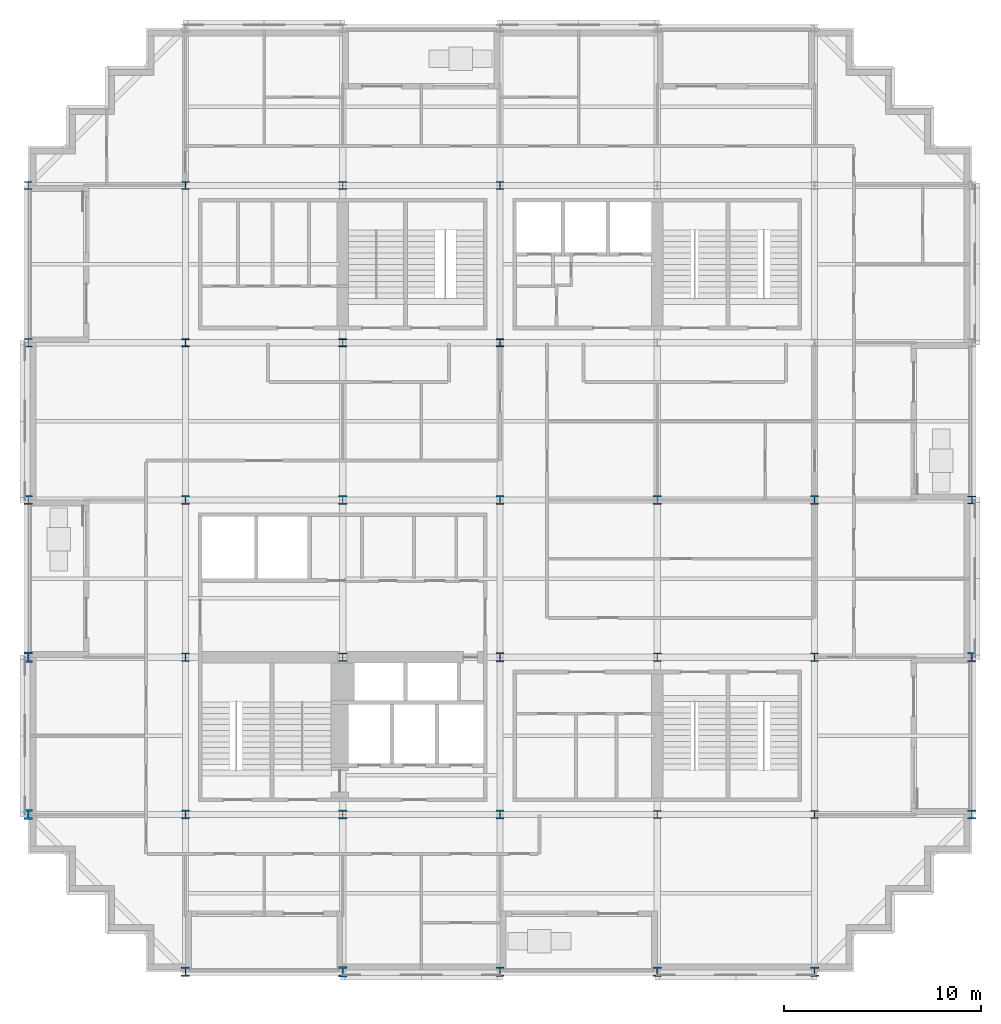
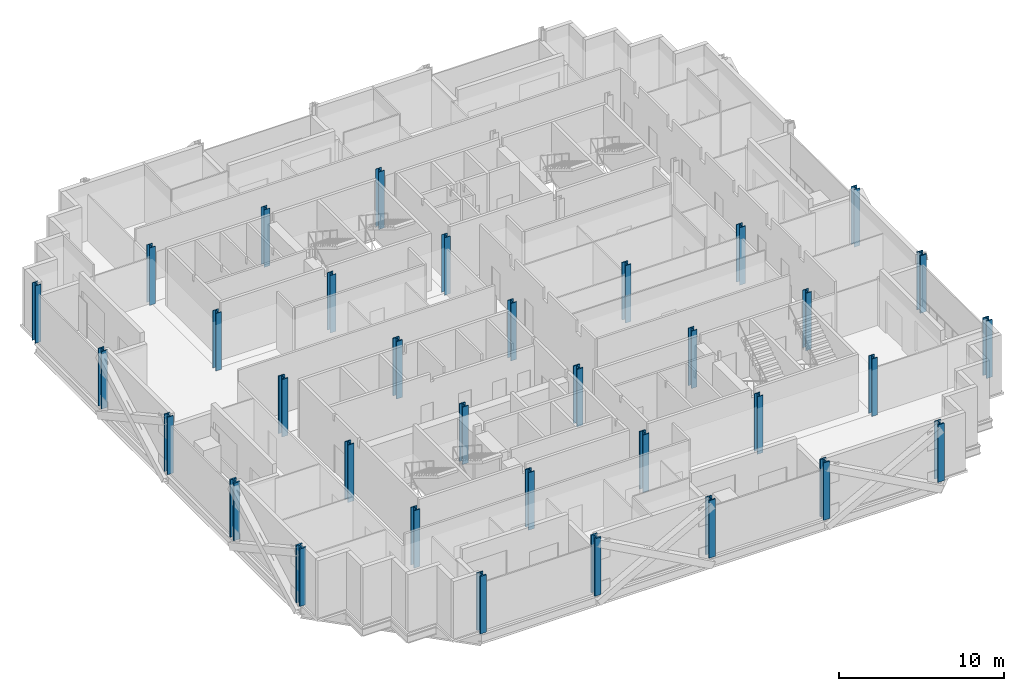
# One storey, part 1 of 15: 34 columns.
"""IFC4 building model written with IfcOpenShell, lengths in metres."""

from ifc_helpers import new_model, si_unit, direction, frame, origin, origin_2d, place, context, subcontext, project, spatial, i_section, extrude, material, material_profile, profile_set, type_object, element, save


model = new_model("IFC4")

# Units and contexts
model_context = context("Model", 3, precision=1e-05, world=origin(), true_north=direction((0.0, 1.0)))
body_context = subcontext(model_context, "Body", "Model", "MODEL_VIEW")
ifc_project = project(units=[si_unit("LENGTHUNIT", "METRE"), si_unit("AREAUNIT", "SQUARE_METRE"), si_unit("VOLUMEUNIT", "CUBIC_METRE"), si_unit("PLANEANGLEUNIT", "RADIAN"), si_unit("MASSUNIT", "GRAM", prefix="KILO")], contexts=[model_context])

# Site, building, storey
site_placement = place(None, origin())
site = spatial("IfcSite", under=ifc_project, at=site_placement, CompositionType="ELEMENT")
building_placement = place(site_placement, origin())
building = spatial("IfcBuilding", under=site, at=building_placement, Name="Immortelle Media Tower", CompositionType="ELEMENT")
storey_placement = place(building_placement, frame((0.0, 0.0, 61.199951171875)))
storey = spatial("IfcBuildingStorey", under=building, at=storey_placement, Name="L10", CompositionType="ELEMENT", Elevation=61.199951171875)

# Columns
ifc_material = material(Name="Steel ASTM A992 Gr 50", Category="steel")
ifc_material_profile_1 = material_profile(ifc_material, i_section(OverallWidth=0.39892578125, OverallDepth=0.385986328125, WebThickness=0.02099609375, FlangeThickness=0.032958984375, at=origin_2d()), Name="W14x176")
ifc_profile_set_1 = profile_set([ifc_material_profile_1], Name="Steel ASTM A992 Gr 50")
column_type_1 = type_object("IfcColumnType", Name="W14x176 column", PredefinedType="COLUMN", material=ifc_profile_set_1)
for number, where, z_axis, x_axis, name in (
    (1, (8.0, 32.0, 0.0), (0.0, 0.0, 1.0), (1.0, 0.0, 0.0), "Column 2/E"),
    (2, (8.0, 40.0, 0.0), (0.0, 0.0, 1.0), (1.0, 0.0, 0.0), "Column 2/F"),
    (3, (16.0, 32.0, 0.0), (0.0, 0.0, 1.0), (1.0, 0.0, 0.0), "Column 3/E"),
    (4, (16.0, 40.0, 0.0), (0.0, 0.0, 1.0), (1.0, 0.0, 0.0), "Column 3/F"),
):
    element("IfcColumn", number, at=place(storey_placement, frame(where, z_axis=z_axis, x_axis=x_axis)), inside=storey, type_object=column_type_1, Name=name, PredefinedType="COLUMN", context=body_context, shape_type="SweptSolid", body=[
        extrude(i_section(OverallWidth=0.39892578125, OverallDepth=0.385986328125, WebThickness=0.02099609375, FlangeThickness=0.032958984375, at=origin_2d()), origin(), (0.0, 0.0, 1.0), 4.25),
    ])
ifc_material_profile_2 = material_profile(ifc_material, i_section(OverallWidth=0.40087890625, OverallDepth=0.39892578125, WebThickness=0.02490234375, FlangeThickness=0.0400390625, at=origin_2d()), Name="W14x211")
ifc_profile_set_2 = profile_set([ifc_material_profile_2], Name="Steel ASTM A992 Gr 50")
column_type_2 = type_object("IfcColumnType", Name="W14x211 column", PredefinedType="COLUMN", material=ifc_profile_set_2)
for number, where, z_axis, x_axis, name in (
    (5, (24.0, 32.0, 0.0), (0.0, 0.0, 1.0), (1.0, 0.0, 0.0), "Column 4/E"),
    (6, (24.0, 40.0, 0.0), (0.0, 0.0, 1.0), (1.0, 0.0, 0.0), "Column 4/F"),
    (7, (48.0, 24.0, 0.0), (0.0, 0.0, 1.0), (1.0, 0.0, 0.0), "Column 7/D"),
):
    element("IfcColumn", number, at=place(storey_placement, frame(where, z_axis=z_axis, x_axis=x_axis)), inside=storey, type_object=column_type_2, Name=name, PredefinedType="COLUMN", context=body_context, shape_type="SweptSolid", body=[
        extrude(i_section(OverallWidth=0.40087890625, OverallDepth=0.39892578125, WebThickness=0.02490234375, FlangeThickness=0.0400390625, at=origin_2d()), origin(), (0.0, 0.0, 1.0), 4.25),
    ])
ifc_material_profile_3 = material_profile(ifc_material, i_section(OverallWidth=0.406005859375, OverallDepth=0.4169921875, WebThickness=0.030029296875, FlangeThickness=0.048095703125, at=origin_2d()), Name="W14x257")
ifc_profile_set_3 = profile_set([ifc_material_profile_3], Name="Steel ASTM A992 Gr 50")
column_type_3 = type_object("IfcColumnType", Name="W14x257 column", PredefinedType="COLUMN", material=ifc_profile_set_3)
for number, where, z_axis, x_axis, name in (
    (8, (0.0, 40.0, 0.0), (0.0, 0.0, 1.0), (1.0, 0.0, 0.0), "Column 1/F"),
    (9, (32.0, 8.0, 0.0), (0.0, 0.0, 1.0), (1.0, 0.0, 0.0), "Column 5/B"),
    (10, (32.0, 16.0, 0.0), (0.0, 0.0, 1.0), (1.0, 0.0, 0.0), "Column 5/C"),
    (11, (40.0, 8.0, 0.0), (0.0, 0.0, 1.0), (1.0, 0.0, 0.0), "Column 6/B"),
    (12, (40.0, 16.0, 0.0), (0.0, 0.0, 1.0), (1.0, 0.0, 0.0), "Column 6/C"),
):
    element("IfcColumn", number, at=place(storey_placement, frame(where, z_axis=z_axis, x_axis=x_axis)), inside=storey, type_object=column_type_3, Name=name, PredefinedType="COLUMN", context=body_context, shape_type="SweptSolid", body=[
        extrude(i_section(OverallWidth=0.406005859375, OverallDepth=0.4169921875, WebThickness=0.030029296875, FlangeThickness=0.048095703125, at=origin_2d()), origin(), (0.0, 0.0, 1.0), 4.25),
    ])
ifc_material_profile_4 = material_profile(ifc_material, i_section(OverallWidth=0.410888671875, OverallDepth=0.43408203125, WebThickness=0.035888671875, FlangeThickness=0.056884765625, at=origin_2d()), Name="W14x311")
ifc_profile_set_4 = profile_set([ifc_material_profile_4], Name="Steel ASTM A992 Gr 50")
column_type_4 = type_object("IfcColumnType", Name="W14x311 column", PredefinedType="COLUMN", material=ifc_profile_set_4)
for number, where, z_axis, x_axis, name in (
    (13, (0.0, 24.0, 0.0), (0.0, 0.0, 1.0), (1.0, 0.0, 0.0), "Column 1/D"),
    (14, (0.0, 32.0, 0.0), (0.0, 0.0, 1.0), (1.0, 0.0, 0.0), "Column 1/E"),
    (15, (24.0, 24.0, 0.0), (0.0, 0.0, 1.0), (1.0, 0.0, 0.0), "Column 4/D"),
    (16, (32.0, 24.0, 0.0), (0.0, 0.0, 1.0), (1.0, 0.0, 0.0), "Column 5/D"),
    (17, (40.0, 24.0, 0.0), (0.0, 0.0, 1.0), (1.0, 0.0, 0.0), "Column 6/D"),
):
    element("IfcColumn", number, at=place(storey_placement, frame(where, z_axis=z_axis, x_axis=x_axis)), inside=storey, type_object=column_type_4, Name=name, PredefinedType="COLUMN", context=body_context, shape_type="SweptSolid", body=[
        extrude(i_section(OverallWidth=0.410888671875, OverallDepth=0.43408203125, WebThickness=0.035888671875, FlangeThickness=0.056884765625, at=origin_2d()), origin(), (0.0, 0.0, 1.0), 4.25),
    ])
ifc_material_profile_5 = material_profile(ifc_material, i_section(OverallWidth=0.4189453125, OverallDepth=0.455078125, WebThickness=0.0419921875, FlangeThickness=0.068115234375, at=origin_2d()), Name="W14x370")
ifc_profile_set_5 = profile_set([ifc_material_profile_5], Name="Steel ASTM A992 Gr 50")
column_type_5 = type_object("IfcColumnType", Name="W14x370 column", PredefinedType="COLUMN", material=ifc_profile_set_5)
for number, where, z_axis, x_axis, name in (
    (18, (8.0, 8.0, 0.0), (0.0, 0.0, 1.0), (1.0, 0.0, 0.0), "Column 2/B"),
    (19, (8.0, 16.0, 0.0), (0.0, 0.0, 1.0), (1.0, 0.0, 0.0), "Column 2/C"),
    (20, (16.0, 8.0, 0.0), (0.0, 0.0, 1.0), (1.0, 0.0, 0.0), "Column 3/B"),
    (21, (16.0, 16.0, 0.0), (0.0, 0.0, 1.0), (1.0, 0.0, 0.0), "Column 3/C"),
    (22, (48.0, 8.0, 0.0), (0.0, 0.0, 1.0), (1.0, 0.0, 0.0), "Column 7/B"),
):
    element("IfcColumn", number, at=place(storey_placement, frame(where, z_axis=z_axis, x_axis=x_axis)), inside=storey, type_object=column_type_5, Name=name, PredefinedType="COLUMN", context=body_context, shape_type="SweptSolid", body=[
        extrude(i_section(OverallWidth=0.4189453125, OverallDepth=0.455078125, WebThickness=0.0419921875, FlangeThickness=0.068115234375, at=origin_2d()), origin(), (0.0, 0.0, 1.0), 4.25),
    ])
ifc_material_profile_6 = material_profile(ifc_material, i_section(OverallWidth=0.424072265625, OverallDepth=0.47509765625, WebThickness=0.048095703125, FlangeThickness=0.076904296875, at=origin_2d()), Name="W14x426")
ifc_profile_set_6 = profile_set([ifc_material_profile_6], Name="Steel ASTM A992 Gr 50")
column_type_6 = type_object("IfcColumnType", Name="W14x426 column", PredefinedType="COLUMN", material=ifc_profile_set_6)
for number, where, z_axis, x_axis, name in (
    (23, (8.0, 24.0, 0.0), (0.0, 0.0, 1.0), (1.0, 0.0, 0.0), "Column 2/D"),
    (24, (16.0, 24.0, 0.0), (0.0, 0.0, 1.0), (1.0, 0.0, 0.0), "Column 3/D"),
    (25, (24.0, 8.0, 0.0), (0.0, 0.0, 1.0), (1.0, 0.0, 0.0), "Column 4/B"),
    (26, (24.0, 16.0, 0.0), (0.0, 0.0, 1.0), (1.0, 0.0, 0.0), "Column 4/C"),
):
    element("IfcColumn", number, at=place(storey_placement, frame(where, z_axis=z_axis, x_axis=x_axis)), inside=storey, type_object=column_type_6, Name=name, PredefinedType="COLUMN", context=body_context, shape_type="SweptSolid", body=[
        extrude(i_section(OverallWidth=0.424072265625, OverallDepth=0.47509765625, WebThickness=0.048095703125, FlangeThickness=0.076904296875, at=origin_2d()), origin(), (0.0, 0.0, 1.0), 4.25),
    ])
ifc_material_profile_7 = material_profile(ifc_material, i_section(OverallWidth=0.431884765625, OverallDepth=0.498046875, WebThickness=0.055908203125, FlangeThickness=0.089111328125, at=origin_2d()), Name="W14x500")
ifc_profile_set_7 = profile_set([ifc_material_profile_7], Name="Steel ASTM A992 Gr 50")
column_type_7 = type_object("IfcColumnType", Name="W14x500 column", PredefinedType="COLUMN", material=ifc_profile_set_7)
for number, where, z_axis, x_axis, name in (
    (27, (8.0, 0.0, 0.0), (0.0, 0.0, 1.0), (1.0, 0.0, 0.0), "Column 2/A"),
    (28, (24.0, 0.0, 0.0), (0.0, 0.0, 1.0), (1.0, 0.0, 0.0), "Column 4/A"),
    (29, (32.0, 0.0, 0.0), (0.0, 0.0, 1.0), (1.0, 0.0, 0.0), "Column 5/A"),
    (30, (40.0, 0.0, 0.0), (0.0, 0.0, 1.0), (1.0, 0.0, 0.0), "Column 6/A"),
    (31, (48.0, 16.0, 0.0), (0.0, 0.0, 1.0), (1.0, 0.0, 0.0), "Column 7/C"),
):
    element("IfcColumn", number, at=place(storey_placement, frame(where, z_axis=z_axis, x_axis=x_axis)), inside=storey, type_object=column_type_7, Name=name, PredefinedType="COLUMN", context=body_context, shape_type="SweptSolid", body=[
        extrude(i_section(OverallWidth=0.431884765625, OverallDepth=0.498046875, WebThickness=0.055908203125, FlangeThickness=0.089111328125, at=origin_2d()), origin(), (0.0, 0.0, 1.0), 4.25),
    ])
ifc_material_profile_8 = material_profile(ifc_material, i_section(OverallWidth=0.44189453125, OverallDepth=0.531005859375, WebThickness=0.06591796875, FlangeThickness=0.10595703125, at=origin_2d()), Name="W14x605")
ifc_profile_set_8 = profile_set([ifc_material_profile_8], Name="Steel ASTM A992 Gr 50")
column_type_8 = type_object("IfcColumnType", Name="W14x605 column", PredefinedType="COLUMN", material=ifc_profile_set_8)
for number, where, z_axis, x_axis, name in (
    (32, (0.0, 8.0, 0.0), (0.0, 0.0, 1.0), (1.0, 0.0, 0.0), "Column 1/B"),
    (33, (0.0, 16.0, 0.0), (0.0, 0.0, 1.0), (1.0, 0.0, 0.0), "Column 1/C"),
    (34, (16.0, 0.0, 0.0), (0.0, 0.0, 1.0), (1.0, 0.0, 0.0), "Column 3/A"),
):
    element("IfcColumn", number, at=place(storey_placement, frame(where, z_axis=z_axis, x_axis=x_axis)), inside=storey, type_object=column_type_8, Name=name, PredefinedType="COLUMN", context=body_context, shape_type="SweptSolid", body=[
        extrude(i_section(OverallWidth=0.44189453125, OverallDepth=0.531005859375, WebThickness=0.06591796875, FlangeThickness=0.10595703125, at=origin_2d()), origin(), (0.0, 0.0, 1.0), 4.25),
    ])

save(model, "model.ifc")
